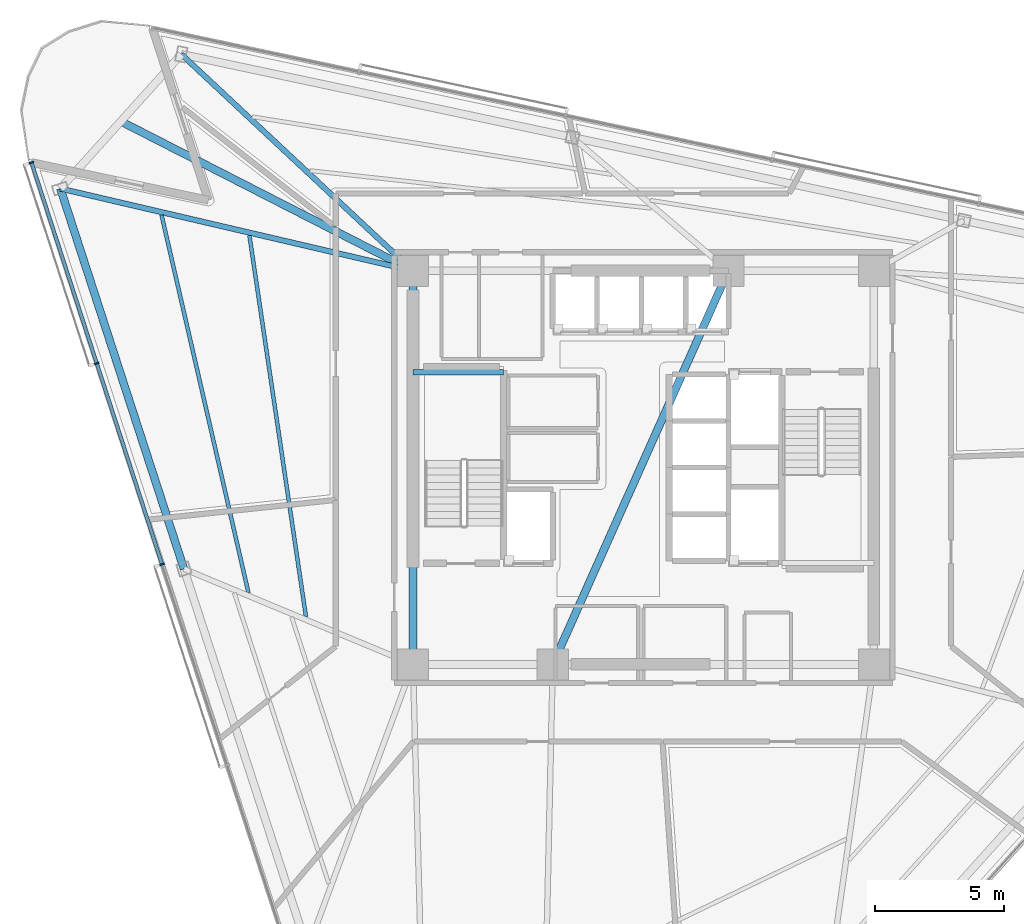
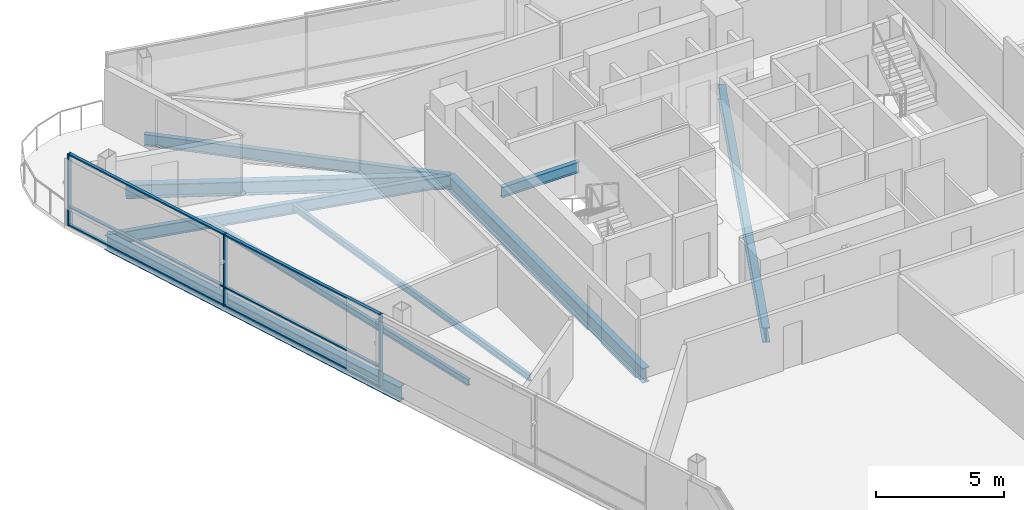
# One storey, part 5 of 17: 9 beams, 9 members, 1 element without a shape of its own.
"""IFC4 building model written with IfcOpenShell, lengths in metres."""

from ifc_helpers import new_model, si_unit, direction, frame, origin, origin_2d, place, context, subcontext, project, spatial, rectangle, i_section, extrude, material, layer, layer_set, material_profile, profile_set, type_object, element, aggregate, save


model = new_model("IFC4")

# Units and contexts
model_context = context("Model", 3, precision=1e-05, world=origin(), true_north=direction((0.0, 1.0)))
body_context = subcontext(model_context, "Body", "Model", "MODEL_VIEW")
ifc_project = project(units=[si_unit("LENGTHUNIT", "METRE"), si_unit("AREAUNIT", "SQUARE_METRE"), si_unit("VOLUMEUNIT", "CUBIC_METRE"), si_unit("PLANEANGLEUNIT", "RADIAN"), si_unit("MASSUNIT", "GRAM", prefix="KILO")], contexts=[model_context])

# Site, building, storey
site_placement = place(None, origin())
site = spatial("IfcSite", under=ifc_project, at=site_placement, CompositionType="ELEMENT")
building_placement = place(site_placement, origin())
building = spatial("IfcBuilding", under=site, at=building_placement, Name="Tharavind Bronze Gate", CompositionType="ELEMENT")
storey_placement = place(building_placement, frame((0.0, 0.0, 204.050048828125)))
storey = spatial("IfcBuildingStorey", under=building, at=storey_placement, Name="L52", CompositionType="ELEMENT", Elevation=204.050048828125)

# Curtain wall, members
ifc_material_1 = material(Name="Anodised Bronze Aluminium", Category="aluminium")
ifc_layer = layer(ifc_material_1, 0.219970703125)
ifc_layer_set = layer_set([ifc_layer], Name="Anodised Bronze Aluminium")
curtain_wall_type = type_object("IfcCurtainWallType", Name="UNITISED CURTAIN WALL MID OFFICE", PredefinedType="USERDEFINED", material=ifc_layer_set)
curtain_wall_placement = place(storey_placement, origin())
curtain_wall = element("IfcCurtainWall", 1, at=curtain_wall_placement, inside=storey, type_object=curtain_wall_type, Name="L52 unitised curtain wall mid office CW-L52-S1", ObjectType="UNITISED CURTAIN WALL", PredefinedType="USERDEFINED")
member_type_1 = type_object("IfcMemberType", Name="CURTAIN WALL BRONZE MULLION 65X180", PredefinedType="MULLION", material=ifc_material_1)
member_1_placement = place(storey_placement, frame((-23.630126953125, 11.780517578125, 0.0), z_axis=(0.0, 0.0, 1.0), x_axis=(0.309016994375, -0.951056516295, 0.0)))
member_1 = element("IfcMember", 2, at=member_1_placement, type_object=member_type_1, Name="CW-L52-S1 mullion 1", PredefinedType="MULLION", context=body_context, shape_type="SweptSolid", body=[
    extrude(rectangle(XDim=0.06494140625, YDim=0.179931640625, at=origin_2d()), origin(), (0.0, 0.0, 1.0), 3.419921875),
])
member_2_placement = place(storey_placement, frame((-21.10986328125, 4.02392578125, 0.0), z_axis=(0.0, 0.0, 1.0), x_axis=(0.309016994375, -0.951056516295, 0.0)))
member_2 = element("IfcMember", 3, at=member_2_placement, type_object=member_type_1, Name="CW-L52-S1 mullion 2", PredefinedType="MULLION", context=body_context, shape_type="SweptSolid", body=[
    extrude(rectangle(XDim=0.06494140625, YDim=0.179931640625, at=origin_2d()), origin(), (0.0, 0.0, 1.0), 3.419921875),
])
member_3_placement = place(storey_placement, frame((-18.589599609375, -3.732666015625, 0.0), z_axis=(0.0, 0.0, 1.0), x_axis=(0.309016994375, -0.951056516295, 0.0)))
member_3 = element("IfcMember", 4, at=member_3_placement, type_object=member_type_1, Name="CW-L52-S1 mullion 3", PredefinedType="MULLION", context=body_context, shape_type="SweptSolid", body=[
    extrude(rectangle(XDim=0.06494140625, YDim=0.179931640625, at=origin_2d()), origin(), (0.0, 0.0, 1.0), 3.419921875),
])
member_type_2 = type_object("IfcMemberType", Name="CURTAIN WALL BRONZE TRANSOM 65X140", PredefinedType="USERDEFINED", material=ifc_material_1)
member_4_placement = place(storey_placement, frame((-22.3701171875, 7.902099609375, 0.0), z_axis=(0.0, 0.0, 1.0), x_axis=(0.309016994375, -0.951056516295, 0.0)))
member_4 = element("IfcMember", 5, at=member_4_placement, type_object=member_type_2, Name="CW-L52-S1 transom TB1", ObjectType="TRANSOM", PredefinedType="USERDEFINED", context=body_context, shape_type="SweptSolid", body=[
    extrude(rectangle(XDim=8.102783203125, YDim=0.139892578125, at=origin_2d()), origin(), (0.0, 0.0, 1.0), 0.06494140625),
])
member_5_placement = place(storey_placement, frame((-22.3701171875, 7.902099609375, 0.867431640625), z_axis=(0.0, 0.0, 1.0), x_axis=(0.309016994375, -0.951056516295, 0.0)))
member_5 = element("IfcMember", 6, at=member_5_placement, type_object=member_type_2, Name="CW-L52-S1 transom TS1", ObjectType="TRANSOM", PredefinedType="USERDEFINED", context=body_context, shape_type="SweptSolid", body=[
    extrude(rectangle(XDim=8.102783203125, YDim=0.139892578125, at=origin_2d()), origin(), (0.0, 0.0, 1.0), 0.06494140625),
])
member_6_placement = place(storey_placement, frame((-22.3701171875, 7.902099609375, 3.35498046875), z_axis=(0.0, 0.0, 1.0), x_axis=(0.309016994375, -0.951056516295, 0.0)))
member_6 = element("IfcMember", 7, at=member_6_placement, type_object=member_type_2, Name="CW-L52-S1 transom TT1", ObjectType="TRANSOM", PredefinedType="USERDEFINED", context=body_context, shape_type="SweptSolid", body=[
    extrude(rectangle(XDim=8.102783203125, YDim=0.139892578125, at=origin_2d()), origin(), (0.0, 0.0, 1.0), 0.06494140625),
])
member_7_placement = place(storey_placement, frame((-19.849853515625, 0.145751953125, 0.0), z_axis=(0.0, 0.0, 1.0), x_axis=(0.309016994375, -0.951056516295, 0.0)))
member_7 = element("IfcMember", 8, at=member_7_placement, type_object=member_type_2, Name="CW-L52-S1 transom TB2", ObjectType="TRANSOM", PredefinedType="USERDEFINED", context=body_context, shape_type="SweptSolid", body=[
    extrude(rectangle(XDim=8.102783203125, YDim=0.139892578125, at=origin_2d()), origin(), (0.0, 0.0, 1.0), 0.06494140625),
])
member_8_placement = place(storey_placement, frame((-19.849853515625, 0.145751953125, 0.867431640625), z_axis=(0.0, 0.0, 1.0), x_axis=(0.309016994375, -0.951056516295, 0.0)))
member_8 = element("IfcMember", 9, at=member_8_placement, type_object=member_type_2, Name="CW-L52-S1 transom TS2", ObjectType="TRANSOM", PredefinedType="USERDEFINED", context=body_context, shape_type="SweptSolid", body=[
    extrude(rectangle(XDim=8.102783203125, YDim=0.139892578125, at=origin_2d()), origin(), (0.0, 0.0, 1.0), 0.06494140625),
])
member_9_placement = place(storey_placement, frame((-19.849853515625, 0.145751953125, 3.35498046875), z_axis=(0.0, 0.0, 1.0), x_axis=(0.309016994375, -0.951056516295, 0.0)))
member_9 = element("IfcMember", 10, at=member_9_placement, type_object=member_type_2, Name="CW-L52-S1 transom TT2", ObjectType="TRANSOM", PredefinedType="USERDEFINED", context=body_context, shape_type="SweptSolid", body=[
    extrude(rectangle(XDim=8.102783203125, YDim=0.139892578125, at=origin_2d()), origin(), (0.0, 0.0, 1.0), 0.06494140625),
])
aggregate(curtain_wall, [member_1, member_2, member_3, member_4, member_5, member_6, member_7, member_8, member_9])

# Beams
ifc_material_2 = material(Name="Steel S355", Category="steel")
ifc_material_profile_1 = material_profile(ifc_material_2, i_section(OverallWidth=0.300048828125, OverallDepth=0.64990234375, WebThickness=0.01611328125, FlangeThickness=0.031005859375, at=origin_2d()), Name="HE650B")
ifc_profile_set_1 = profile_set([ifc_material_profile_1], Name="Steel S355")
beam_type_1 = type_object("IfcBeamType", Name="PRIMARY GIRDER HE650B", PredefinedType="USERDEFINED", material=ifc_profile_set_1)
beam_1_placement = place(storey_placement, frame((-8.89990234375, 7.60009765625, -0.505126953125), z_axis=(-0.890281411762, 0.455410812202, 0.0), x_axis=(-0.455410812202, -0.890281411762, 0.0)))
element("IfcBeam", 11, at=beam_1_placement, inside=storey, type_object=beam_type_1, Name="L52 primary girder he650b BM-L52-BLCSB", ObjectType="GIRDER", PredefinedType="USERDEFINED", context=body_context, shape_type="SweptSolid", body=[
    extrude(i_section(OverallWidth=0.300048828125, OverallDepth=0.64990234375, WebThickness=0.01611328125, FlangeThickness=0.031005859375, at=origin_2d()), origin(), (0.0, 0.0, 1.0), 12.67041015625),
])
ifc_material_profile_2 = material_profile(ifc_material_2, i_section(OverallWidth=0.199951171875, OverallDepth=0.5, WebThickness=0.01025390625, FlangeThickness=0.01611328125, at=origin_2d()), Name="IPE500")
ifc_profile_set_2 = profile_set([ifc_material_profile_2], Name="Steel S355")
beam_type_2 = type_object("IfcBeamType", Name="PRIMARY GIRDER IPE500", PredefinedType="USERDEFINED", material=ifc_profile_set_2)
beam_2_placement = place(storey_placement, frame((-8.89990234375, 3.679931640625, 1.349853515625), z_axis=(1.0, 0.0, 0.0), x_axis=(0.0, 1.0, 0.0)))
element("IfcBeam", 12, at=beam_2_placement, inside=storey, type_object=beam_type_2, Name="L52 primary girder ipe500 BM-LD-ST1-L52-1", ObjectType="GIRDER", PredefinedType="USERDEFINED", context=body_context, shape_type="SweptSolid", body=[
    extrude(i_section(OverallWidth=0.199951171875, OverallDepth=0.5, WebThickness=0.01025390625, FlangeThickness=0.01611328125, at=origin_2d()), origin(), (0.0, 0.0, 1.0), 3.5),
])
ifc_material_profile_3 = material_profile(ifc_material_2, i_section(OverallWidth=0.2099609375, OverallDepth=0.550048828125, WebThickness=0.010986328125, FlangeThickness=0.01708984375, at=origin_2d()), Name="IPE550")
ifc_profile_set_3 = profile_set([ifc_material_profile_3], Name="Steel S355")
beam_type_3 = type_object("IfcBeamType", Name="PRIMARY GIRDER IPE550", PredefinedType="USERDEFINED", material=ifc_profile_set_3)
beam_3_placement = place(storey_placement, frame((-22.515380859375, 10.77685546875, -0.455078125), z_axis=(0.973844172145, -0.227216919219, 0.0), x_axis=(0.227216919219, 0.973844172145, 0.0)))
element("IfcBeam", 13, at=beam_3_placement, inside=storey, type_object=beam_type_3, Name="L52 primary girder ipe550 BM-L52-RAD01", ObjectType="GIRDER", PredefinedType="USERDEFINED", context=body_context, shape_type="SweptSolid", body=[
    extrude(i_section(OverallWidth=0.2099609375, OverallDepth=0.550048828125, WebThickness=0.010986328125, FlangeThickness=0.01708984375, at=origin_2d()), origin(), (0.0, 0.0, 1.0), 13.981201171875),
])
beam_4_placement = place(storey_placement, frame((-17.844970703125, 15.9638671875, -0.455078125), z_axis=(0.730442397204, -0.682974307252, 0.0), x_axis=(0.682974307252, 0.730442397204, 0.0)))
element("IfcBeam", 14, at=beam_4_placement, inside=storey, type_object=beam_type_3, Name="L52 primary girder ipe550 BM-L52-RAD12", ObjectType="GIRDER", PredefinedType="USERDEFINED", context=body_context, shape_type="SweptSolid", body=[
    extrude(i_section(OverallWidth=0.2099609375, OverallDepth=0.550048828125, WebThickness=0.010986328125, FlangeThickness=0.01708984375, at=origin_2d()), origin(), (0.0, 0.0, 1.0), 12.24609375),
])
ifc_material_profile_4 = material_profile(ifc_material_2, i_section(OverallWidth=0.300048828125, OverallDepth=0.699951171875, WebThickness=0.01708984375, FlangeThickness=0.031982421875, at=origin_2d()), Name="HE700B")
ifc_profile_set_4 = profile_set([ifc_material_profile_4], Name="Steel S355")
beam_type_4 = type_object("IfcBeamType", Name="RING GIRDER HE700B", PredefinedType="USERDEFINED", material=ifc_profile_set_4)
beam_5_placement = place(storey_placement, frame((-8.89990234375, 7.60009765625, -0.530029296875), z_axis=(0.0, -1.0, 0.0), x_axis=(1.0, 0.0, 0.0)))
element("IfcBeam", 15, at=beam_5_placement, inside=storey, type_object=beam_type_4, Name="L52 ring girder he700b BM-L52-CR6", ObjectType="GIRDER", PredefinedType="USERDEFINED", context=body_context, shape_type="SweptSolid", body=[
    extrude(i_section(OverallWidth=0.300048828125, OverallDepth=0.699951171875, WebThickness=0.01708984375, FlangeThickness=0.031982421875, at=origin_2d()), origin(), (0.0, 0.0, 1.0), 15.2001953125),
])
beam_6_placement = place(storey_placement, frame((-3.5, -7.60009765625, -0.530029296875), z_axis=(0.407361644566, 0.913266932795, 0.0), x_axis=(-0.913266932795, 0.407361644566, 0.0)))
element("IfcBeam", 16, at=beam_6_placement, inside=storey, type_object=beam_type_4, Name="L52 ring girder he700b BM-L52-CR7", ObjectType="GIRDER", PredefinedType="USERDEFINED", context=body_context, shape_type="SweptSolid", body=[
    extrude(i_section(OverallWidth=0.300048828125, OverallDepth=0.699951171875, WebThickness=0.01708984375, FlangeThickness=0.031982421875, at=origin_2d()), origin(), (0.0, 0.0, 1.0), 16.643798828125),
])
beam_7_placement = place(storey_placement, frame((-22.515380859375, 10.77685546875, -0.530029296875), z_axis=(0.309006009957, -0.951060085279, 0.0), x_axis=(0.951060085279, 0.309006009957, 0.0)))
element("IfcBeam", 17, at=beam_7_placement, inside=storey, type_object=beam_type_4, Name="L52 ring girder he700b BM-L52-PRG01", ObjectType="GIRDER", PredefinedType="USERDEFINED", context=body_context, shape_type="SweptSolid", body=[
    extrude(i_section(OverallWidth=0.300048828125, OverallDepth=0.699951171875, WebThickness=0.01708984375, FlangeThickness=0.031982421875, at=origin_2d()), origin(), (0.0, 0.0, 1.0), 15.4453125),
])
ifc_material_profile_5 = material_profile(ifc_material_2, i_section(OverallWidth=0.14990234375, OverallDepth=0.300048828125, WebThickness=0.007080078125, FlangeThickness=0.0107421875, at=origin_2d()), Name="IPE300")
ifc_profile_set_5 = profile_set([ifc_material_profile_5], Name="Steel S355")
beam_type_5 = type_object("IfcBeamType", Name="SECONDARY FLOOR JOIST IPE300", PredefinedType="JOIST", material=ifc_profile_set_5)
beam_8_placement = place(storey_placement, frame((-15.214111328125, 8.961669921875, -0.330078125), z_axis=(0.146719879942, -0.989178081454, 0.0), x_axis=(0.989178081454, 0.146719879942, 0.0)))
element("IfcBeam", 18, at=beam_8_placement, inside=storey, type_object=beam_type_5, Name="L52 secondary floor joist ipe300 BM-L52-JSTA01", PredefinedType="JOIST", context=body_context, shape_type="SweptSolid", body=[
    extrude(i_section(OverallWidth=0.14990234375, OverallDepth=0.300048828125, WebThickness=0.007080078125, FlangeThickness=0.0107421875, at=origin_2d()), origin(), (0.0, 0.0, 1.0), 14.8828125),
])
beam_9_placement = place(storey_placement, frame((-18.60791015625, 9.753662109375, -0.330078125), z_axis=(0.224186420064, -0.974546278562, 0.0), x_axis=(0.974546278562, 0.224186420064, 0.0)))
element("IfcBeam", 19, at=beam_9_placement, inside=storey, type_object=beam_type_5, Name="L52 secondary floor joist ipe300 BM-L52-JSTB01", PredefinedType="JOIST", context=body_context, shape_type="SweptSolid", body=[
    extrude(i_section(OverallWidth=0.14990234375, OverallDepth=0.300048828125, WebThickness=0.007080078125, FlangeThickness=0.0107421875, at=origin_2d()), origin(), (0.0, 0.0, 1.0), 14.968505859375),
])

save(model, "model.ifc")
